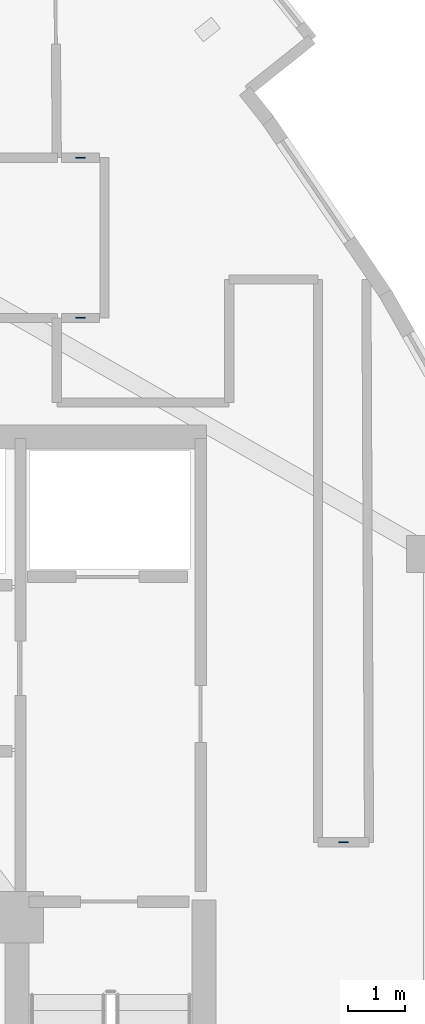
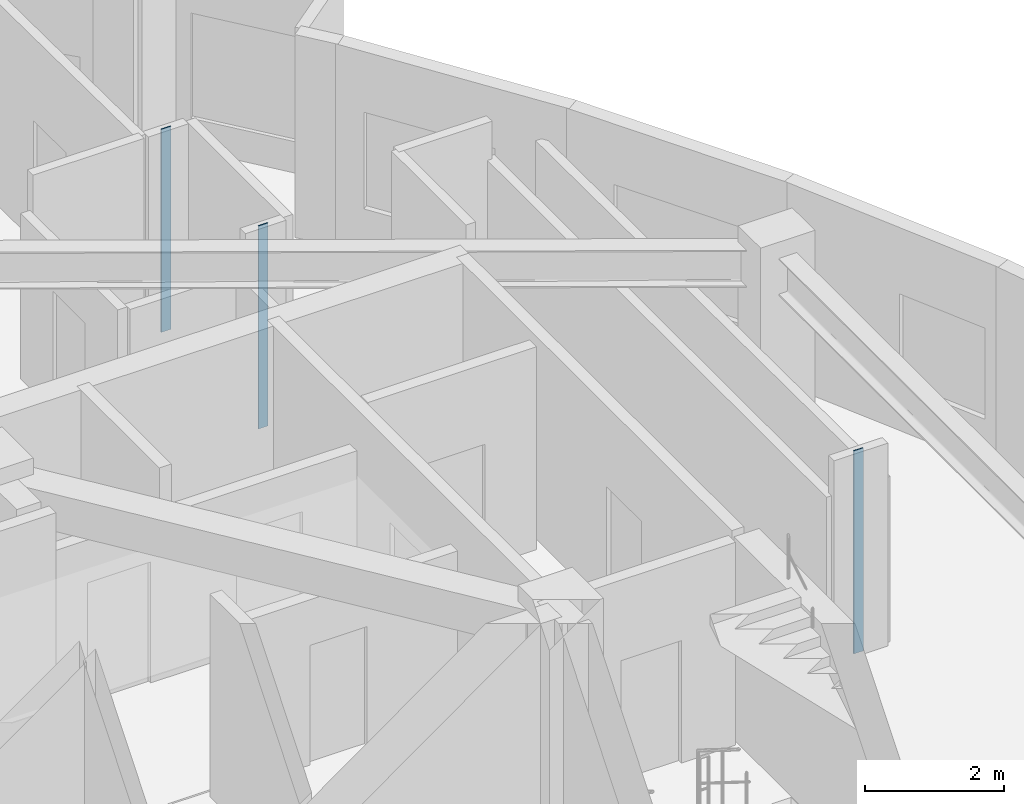
# One storey, part 6 of 13: 3 plates.
"""IFC4 building model written with IfcOpenShell, lengths in metres."""

from ifc_helpers import new_model, si_unit, direction, frame, origin, origin_2d, place, context, subcontext, project, spatial, rectangle, extrude, material, layer, layer_set, type_object, element, save


model = new_model("IFC4")

# Units and contexts
model_context = context("Model", 3, precision=1e-05, world=origin(), true_north=direction((0.0, 1.0)))
body_context = subcontext(model_context, "Body", "Model", "MODEL_VIEW")
ifc_project = project(units=[si_unit("LENGTHUNIT", "METRE"), si_unit("AREAUNIT", "SQUARE_METRE"), si_unit("VOLUMEUNIT", "CUBIC_METRE"), si_unit("PLANEANGLEUNIT", "RADIAN"), si_unit("MASSUNIT", "GRAM", prefix="KILO")], contexts=[model_context])

# Site, building, storey
site_placement = place(None, origin())
site = spatial("IfcSite", under=ifc_project, at=site_placement, CompositionType="ELEMENT")
building_placement = place(site_placement, origin())
building = spatial("IfcBuilding", under=site, at=building_placement, Name="Miruveldt Soraemaru", CompositionType="ELEMENT")
storey_placement = place(building_placement, frame((0.0, 0.0, 252.0)))
storey = spatial("IfcBuildingStorey", under=building, at=storey_placement, Name="L69", CompositionType="ELEMENT", Elevation=252.0)

# Plates
ifc_material = material(Name="Anodised aluminium EN AW-6063 T6", Category="aluminium")
ifc_layer = layer(ifc_material, 0.02001953125, Name="Anodised aluminium EN AW-6063 T6", Category="aluminium")
ifc_layer_set = layer_set([ifc_layer], Name="Anodised aluminium EN AW-6063 T6")
plate_type = type_object("IfcPlateType", Name="PLT-PART-TRIM", PredefinedType="SHEET", material=ifc_layer_set)
for number, where, z_axis, x_axis, name in (
    (1, (55.047607421875, 45.35791015625, 0.0), (0.0, 0.0, 1.0), (-1.0, 0.0, 0.0), "L69 Partition Step Corner Trim Plate 069"),
    (2, (50.450439453125, 54.530029296875, 0.0), (0.0, 0.0, 1.0), (1.0, 0.0, 0.0), "L69 Partition Step Corner Trim Plate 024"),
    (3, (50.450439453125, 57.330078125, 0.0), (0.0, 0.0, 1.0), (-1.0, 0.0, 0.0), "L69 Partition Step Corner Trim Plate 026"),
):
    element("IfcPlate", number, at=place(storey_placement, frame(where, z_axis=z_axis, x_axis=x_axis)), inside=storey, type_object=plate_type, Name=name, PredefinedType="SHEET", context=body_context, shape_type="SweptSolid", body=[
        extrude(rectangle(XDim=0.159912109375, YDim=0.02001953125, at=origin_2d()), origin(), (0.0, 0.0, 1.0), 3.56494140625),
    ])

save(model, "model.ifc")
